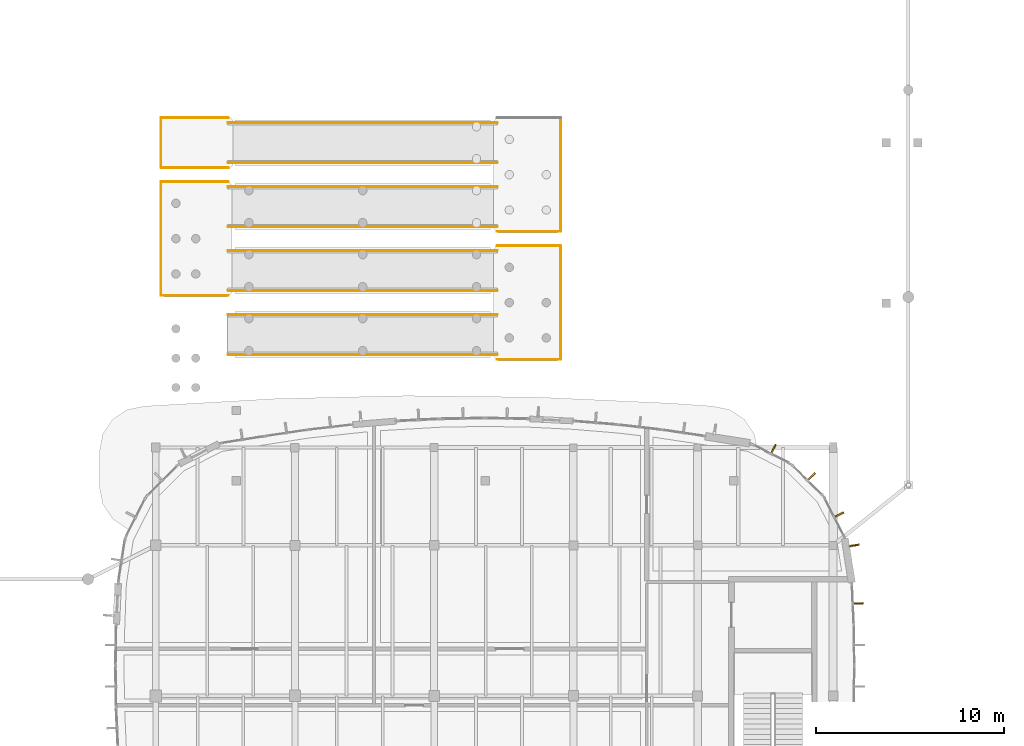
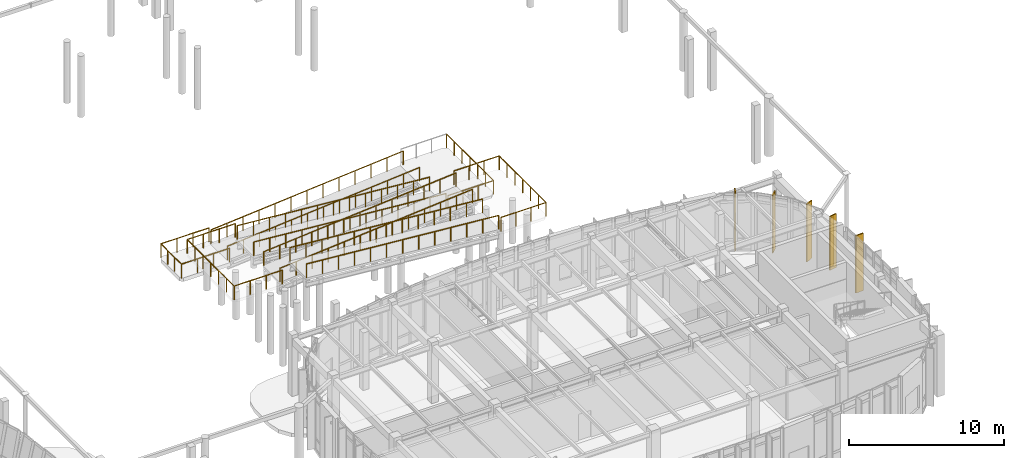
# One storey, part 107 of 120: 19 railings, 5 coverings, 1 shading device.
"""IFC4 building model written with IfcOpenShell, lengths in metres."""

import ifcopenshell
import ifcopenshell.guid

model = None  # the IFC model being written
_history = None  # IfcOwnerHistory: only IFC2X3 demands one
_inside = {}  # id of a spatial element -> (the spatial element, [elements in it])
_under = {}  # id of a project, library or spatial element -> (it, [spatial elements below it])
_declared = {}  # id of a project -> (the project, [libraries it declares])
_typed = {}  # id of a type object -> (the type object, [elements of that type])
_made_of = {}  # id of a material, layer set ... -> (it, [elements and type objects made of it])


def new_model(schema):
    """Start an empty IFC model of exactly this schema.

    Asked for "IFC4X3", IfcOpenShell would pick the latest addendum, in which some entities
    have other attributes; the version numbers below select the first issue.
    IFC2X3 requires an IfcOwnerHistory on every rooted entity: one is made here for all.
    """
    global model, _history
    if schema == "IFC4X3":
        model = ifcopenshell.file(schema_version=(4, 3, 0, 0))
    else:
        model = ifcopenshell.file(schema=schema)
    _inside.clear()
    _under.clear()
    _declared.clear()
    _typed.clear()
    _made_of.clear()
    _history = None
    if model.schema == "IFC2X3":
        org = make("IfcOrganization", Name="unknown")
        user = make(
            "IfcPersonAndOrganization",
            ThePerson=make("IfcPerson", FamilyName="unknown"),
            TheOrganization=org,
        )
        app = make(
            "IfcApplication",
            ApplicationDeveloper=org,
            Version="unknown",
            ApplicationFullName="unknown",
            ApplicationIdentifier="unknown",
        )
        _history = make(
            "IfcOwnerHistory",
            OwningUser=user,
            OwningApplication=app,
            ChangeAction="ADDED",
            CreationDate=0,
        )
    return model


def make(cls, **values):
    """One entity of the class cls with the attributes given. An attribute that is None is left unset."""
    return model.create_entity(
        cls, **{name: value for name, value in values.items() if value is not None}
    )


def rooted(cls, **values):
    """An entity with a GlobalId (a new one), such as an element, a storey or a relation."""
    return make(cls, GlobalId=ifcopenshell.guid.new(), OwnerHistory=_history, **values)


def si_unit(unit_type, name, prefix=None):
    """IfcSIUnit, for example si_unit("LENGTHUNIT", "METRE", prefix="MILLI")."""
    return make("IfcSIUnit", UnitType=unit_type, Prefix=prefix, Name=name)


def assignment(units):
    """IfcUnitAssignment: the units of a project."""
    return None if units is None else make("IfcUnitAssignment", Units=units)


def point(xyz):
    """IfcCartesianPoint."""
    return None if xyz is None else make("IfcCartesianPoint", Coordinates=xyz)


def direction(xyz):
    """IfcDirection."""
    return None if xyz is None else make("IfcDirection", DirectionRatios=xyz)


def frame(location, z_axis=None, x_axis=None):
    """IfcAxis2Placement3D, a coordinate frame: its origin and axes. An axis left out is left unset."""
    return make(
        "IfcAxis2Placement3D",
        Location=point(location),
        Axis=direction(z_axis),
        RefDirection=direction(x_axis),
    )


def frame_2d(location, x_axis=None):
    """IfcAxis2Placement2D, a coordinate frame in the plane: its origin and x axis."""
    return make(
        "IfcAxis2Placement2D", Location=point(location), RefDirection=direction(x_axis)
    )


def origin():
    """The frame at (0, 0, 0) with its axes left unset."""
    return frame((0.0, 0.0, 0.0))


def origin_2d():
    """The frame at (0, 0) in the plane with its x axis left unset."""
    return frame_2d((0.0, 0.0))


def place(relative_to, where):
    """IfcLocalPlacement: puts the frame where relative to a parent placement (None: the world)."""
    return make(
        "IfcLocalPlacement", PlacementRelTo=relative_to, RelativePlacement=where
    )


def context(
    kind, dimensions, precision=None, world=None, true_north=None, identifier=None
):
    """IfcGeometricRepresentationContext, for example the 3D "Model" context."""
    return make(
        "IfcGeometricRepresentationContext",
        ContextIdentifier=identifier,
        ContextType=kind,
        CoordinateSpaceDimension=dimensions,
        Precision=precision,
        WorldCoordinateSystem=world,
        TrueNorth=true_north,
    )


def subcontext(parent, identifier, kind, view, scale=None):
    """IfcGeometricRepresentationSubContext, for example "Body" below "Model"."""
    return make(
        "IfcGeometricRepresentationSubContext",
        ContextIdentifier=identifier,
        ContextType=kind,
        ParentContext=parent,
        TargetScale=scale,
        TargetView=view,
    )


def project(units=None, contexts=None):
    """IfcProject with its units and contexts."""
    return rooted(
        "IfcProject",
        Name="project",
        RepresentationContexts=contexts,
        UnitsInContext=assignment(units),
    )


def spatial(cls, under=None, at=None, **own):
    """A site, building, storey or space (cls), placed at a placement, below another one or the project."""
    s = rooted(cls, ObjectPlacement=at, **own)
    if under is not None:
        _under.setdefault(under.id(), (under, []))[1].append(s)
    return s


def polyline(points):
    """IfcPolyline through the points."""
    return make("IfcPolyline", Points=[point(p) for p in points])


def profile(cls, at=None, kind="AREA", **sizes):
    """A parametric profile (cls). Its sizes go by their IFC names, for example OverallWidth=200.0."""
    return make(cls, ProfileType=kind, Position=at, **sizes)


def rectangle(**sizes):
    """IfcRectangleProfileDef."""
    return profile("IfcRectangleProfileDef", **sizes)


def circle(**sizes):
    """IfcCircleProfileDef."""
    return profile("IfcCircleProfileDef", **sizes)


def outline(outer, holes=None, kind="AREA"):
    """IfcArbitraryClosedProfileDef: a profile drawn as a closed curve; with holes, ...WithVoids."""
    if holes is None:
        return make("IfcArbitraryClosedProfileDef", ProfileType=kind, OuterCurve=outer)
    return make(
        "IfcArbitraryProfileDefWithVoids",
        ProfileType=kind,
        OuterCurve=outer,
        InnerCurves=holes,
    )


def extrude(swept, where, along, depth):
    """IfcExtrudedAreaSolid: the profile swept, set in the frame where, extruded along a direction by depth."""
    return make(
        "IfcExtrudedAreaSolid",
        SweptArea=swept,
        Position=where,
        ExtrudedDirection=direction(along),
        Depth=depth,
    )


def shape(context_of_items, identifier, shape_type, items):
    """IfcShapeRepresentation: the items that make up one representation, for example the "Body"."""
    return make(
        "IfcShapeRepresentation",
        ContextOfItems=context_of_items,
        RepresentationIdentifier=identifier,
        RepresentationType=shape_type,
        Items=items,
    )


def material(Name=None, Category=None):
    """IfcMaterial."""
    return make("IfcMaterial", Name=Name, Category=Category)


def layer(
    of_material, thickness, ventilated=None, Name=None, Category=None, Priority=None
):
    """IfcMaterialLayer: one layer of a wall or slab, of a material (None: an air gap)."""
    return make(
        "IfcMaterialLayer",
        Material=of_material,
        LayerThickness=thickness,
        IsVentilated=ventilated,
        Name=Name,
        Category=Category,
        Priority=Priority,
    )


def layer_set(layers, Name=None):
    """IfcMaterialLayerSet."""
    return make("IfcMaterialLayerSet", MaterialLayers=layers, LayerSetName=Name)


def made_of(thing, what):
    """Note that an element or type object is made of a material, layer set ...; save() writes the relation."""
    if what is not None:
        _made_of.setdefault(what.id(), (what, []))[1].append(thing)
    return thing


def type_object(cls, material=None, **own):
    """A type object (cls), such as IfcWallType, which elements share."""
    return made_of(rooted(cls, **own), material)


def element(
    cls,
    number,
    at=None,
    inside=None,
    cuts=None,
    type_object=None,
    material=None,
    context=None,
    identifier="Body",
    shape_type=None,
    held_by="IfcProductDefinitionShape",
    body=None,
    shapes=None,
    **own,
):
    """One element of the class cls, such as IfcWall. Its Tag is "e" and its number.

    at: its placement. inside: the storey or other place that contains it. cuts: it is an
    opening in that element (IfcRelVoidsElement). A single representation is given by context,
    identifier, shape_type and body (its items); several are given by shapes. held_by: the class
    of the entity that holds the representations. save() writes the other relations.
    """
    e = rooted(cls, Tag="e%d" % number, ObjectPlacement=at, **own)
    if body is not None:
        shapes = [shape(context, identifier, shape_type, body)]
    if shapes is not None:
        e.Representation = make(held_by, Representations=shapes)
    if inside is not None:
        _inside.setdefault(inside.id(), (inside, []))[1].append(e)
    if cuts is not None:
        rooted(
            "IfcRelVoidsElement", RelatingBuildingElement=cuts, RelatedOpeningElement=e
        )
    if type_object is not None:
        _typed.setdefault(type_object.id(), (type_object, []))[1].append(e)
    return made_of(e, material)


def aggregate(whole, parts):
    """IfcRelAggregates: a whole, such as a stair, and the parts it consists of."""
    return rooted("IfcRelAggregates", RelatingObject=whole, RelatedObjects=parts)


def save(model, path):
    """Write the relations noted so far, then the file.

    IfcRelAggregates (storeys below a building ...), IfcRelContainedInSpatialStructure (elements
    in a storey), IfcRelDefinesByType, IfcRelAssociatesMaterial and IfcRelDeclares: one each for
    every whole, place, type object, material and project.
    """
    for whole, parts in _under.values():
        aggregate(whole, parts)
    for where, things in _inside.values():
        rooted(
            "IfcRelContainedInSpatialStructure",
            RelatedElements=things,
            RelatingStructure=where,
        )
    for kind, things in _typed.values():
        rooted("IfcRelDefinesByType", RelatedObjects=things, RelatingType=kind)
    for what, things in _made_of.values():
        rooted("IfcRelAssociatesMaterial", RelatedObjects=things, RelatingMaterial=what)
    for by, libraries in _declared.values():
        rooted("IfcRelDeclares", RelatingContext=by, RelatedDefinitions=libraries)
    model.write(path)


model = new_model("IFC4")

# Units and contexts
model_context = context("Model", 3, precision=1e-05, world=origin(), true_north=direction((0.0, 1.0)))
body_context = subcontext(model_context, "Body", "Model", "MODEL_VIEW")
ifc_project = project(units=[si_unit("LENGTHUNIT", "METRE"), si_unit("AREAUNIT", "SQUARE_METRE"), si_unit("VOLUMEUNIT", "CUBIC_METRE"), si_unit("PLANEANGLEUNIT", "RADIAN"), si_unit("MASSUNIT", "GRAM", prefix="KILO")], contexts=[model_context])

# Site, building, storey
site_placement = place(None, origin())
site = spatial("IfcSite", under=ifc_project, at=site_placement, CompositionType="ELEMENT")
building_placement = place(site_placement, origin())
building = spatial("IfcBuilding", under=site, at=building_placement, Name="Corveleigh Park Community Centre", CompositionType="ELEMENT")
storey_placement = place(building_placement, origin())
storey = spatial("IfcBuildingStorey", under=building, at=storey_placement, Name="L00", CompositionType="ELEMENT", Elevation=0.0)

# Coverings
ifc_material_1 = material(Name="Warm buff ribbed architectural cladding", Category="masonry")
ifc_layer = layer(ifc_material_1, 0.0849609375, Name="Warm buff ribbed architectural cladding", Category="masonry")
ifc_layer_set = layer_set([ifc_layer], Name="Warm buff ribbed architectural cladding")
covering_type = type_object("IfcCoveringType", Name="COV-CLD-BUF", PredefinedType="CLADDING", material=ifc_layer_set)
covering_1_placement = place(storey_placement, origin())
element("IfcCovering", 1, at=covering_1_placement, inside=storey, type_object=covering_type, Name="V3 L00 Brise-soleil blade 64", PredefinedType="CLADDING", context=body_context, shape_type="SweptSolid", body=[
    extrude(outline(polyline([(109.029052734375, 23.738037109375), (109.032958984375, 23.653076171875), (109.612060546875, 23.679931640625), (109.60888671875, 23.764892578125), (109.029052734375, 23.738037109375)])), origin(), (0.0, 0.0, 1.0), 4.511962890625),
])
covering_2_placement = place(storey_placement, origin())
element("IfcCovering", 2, at=covering_2_placement, inside=storey, type_object=covering_type, Name="V3 L00 Brise-soleil blade 65", PredefinedType="CLADDING", context=body_context, shape_type="SweptSolid", body=[
    extrude(outline(polyline([(108.861083984375, 26.797119140625), (108.8740234375, 26.712890625), (109.402099609375, 26.797119140625), (109.388916015625, 26.881103515625), (108.861083984375, 26.797119140625)])), origin(), (0.0, 0.0, 1.0), 4.22509765625),
])
covering_3_placement = place(storey_placement, origin())
element("IfcCovering", 3, at=covering_3_placement, inside=storey, type_object=covering_type, Name="V3 L00 Brise-soleil blade 66", PredefinedType="CLADDING", context=body_context, shape_type="SweptSolid", body=[
    extrude(outline(polyline([(108.027099609375, 28.325927734375), (108.06494140625, 28.2509765625), (108.58203125, 28.513916015625), (108.5439453125, 28.590087890625), (108.027099609375, 28.325927734375)])), origin(), (0.0, 0.0, 1.0), 4.537109375),
])
covering_4_placement = place(storey_placement, origin())
element("IfcCovering", 4, at=covering_4_placement, inside=storey, type_object=covering_type, Name="V3 L00 Brise-soleil blade 67", PredefinedType="CLADDING", context=body_context, shape_type="SweptSolid", body=[
    extrude(outline(polyline([(106.60302734375, 30.262939453125), (106.6630859375, 30.202880859375), (107.073974609375, 30.613037109375), (107.012939453125, 30.674072265625), (106.60302734375, 30.262939453125)])), origin(), (0.0, 0.0, 1.0), 4.537109375),
])
covering_5_placement = place(storey_placement, origin())
element("IfcCovering", 5, at=covering_5_placement, inside=storey, type_object=covering_type, Name="V3 L00 Brise-soleil blade 68", PredefinedType="CLADDING", context=body_context, shape_type="SweptSolid", body=[
    extrude(outline(polyline([(104.65087890625, 31.6650390625), (104.72607421875, 31.626953125), (104.989990234375, 32.14404296875), (104.9140625, 32.181884765625), (104.65087890625, 31.6650390625)])), origin(), (0.0, 0.0, 1.0), 4.537109375),
])

# Railings
ifc_material_2 = material(Name="Stainless steel 316 balustrade", Category="steel")
railing_type = type_object("IfcRailingType", Name="RLG-BAL-EXT-1100", PredefinedType="BALUSTRADE", material=ifc_material_2)
railing_1_placement = place(storey_placement, frame((75.85009765625, 49.260009765625, 0.00390625)))
element("IfcRailing", 6, at=railing_1_placement, inside=storey, type_object=railing_type, Name="Ramp RM7 guard L", PredefinedType="BALUSTRADE", context=body_context, shape_type="SweptSolid", body=[
    extrude(circle(Radius=0.02392578125, at=origin_2d()), frame((0.0, 0.0, 1.076171875), z_axis=(0.996542941565, 0.0, 0.083079273094), x_axis=(0.0, 1.0, 0.0)), (0.0, 0.0, 1.0), 14.349365234375),
    extrude(circle(Radius=0.02099609375, at=origin_2d()), origin(), (0.0, 0.0, 1.0), 1.052001953125),
    extrude(circle(Radius=0.02099609375, at=origin_2d()), frame((1.191650390625, 0.0, 0.099365234375)), (0.0, 0.0, 1.0), 1.052001953125),
    extrude(circle(Radius=0.02099609375, at=origin_2d()), frame((2.38330078125, 0.0, 0.19873046875)), (0.0, 0.0, 1.0), 1.052001953125),
    extrude(circle(Radius=0.02099609375, at=origin_2d()), frame((3.574951171875, 0.0, 0.298095703125)), (0.0, 0.0, 1.0), 1.052001953125),
    extrude(circle(Radius=0.02099609375, at=origin_2d()), frame((4.7666015625, 0.0, 0.3974609375)), (0.0, 0.0, 1.0), 1.052001953125),
    extrude(circle(Radius=0.02099609375, at=origin_2d()), frame((5.958251953125, 0.0, 0.496826171875)), (0.0, 0.0, 1.0), 1.052001953125),
    extrude(circle(Radius=0.02099609375, at=origin_2d()), frame((7.14990234375, 0.0, 0.59619140625)), (0.0, 0.0, 1.0), 1.052001953125),
    extrude(circle(Radius=0.02099609375, at=origin_2d()), frame((8.341552734375, 0.0, 0.6953125)), (0.0, 0.0, 1.0), 1.052001953125),
    extrude(circle(Radius=0.02099609375, at=origin_2d()), frame((9.533203125, 0.0, 0.794677734375)), (0.0, 0.0, 1.0), 1.052001953125),
    extrude(circle(Radius=0.02099609375, at=origin_2d()), frame((10.724853515625, 0.0, 0.89404296875)), (0.0, 0.0, 1.0), 1.052001953125),
    extrude(circle(Radius=0.02099609375, at=origin_2d()), frame((11.91650390625, 0.0, 0.993408203125)), (0.0, 0.0, 1.0), 1.052001953125),
    extrude(circle(Radius=0.02099609375, at=origin_2d()), frame((13.108154296875, 0.0, 1.0927734375)), (0.0, 0.0, 1.0), 1.052001953125),
    extrude(circle(Radius=0.02099609375, at=origin_2d()), frame((14.2998046875, 0.0, 1.192138671875)), (0.0, 0.0, 1.0), 1.052001953125),
])
railing_2_placement = place(storey_placement, frame((75.85009765625, 47.139892578125, 0.00390625)))
element("IfcRailing", 7, at=railing_2_placement, inside=storey, type_object=railing_type, Name="Ramp RM7 guard R", PredefinedType="BALUSTRADE", context=body_context, shape_type="SweptSolid", body=[
    extrude(circle(Radius=0.02392578125, at=origin_2d()), frame((0.0, 0.0, 1.076171875), z_axis=(0.996542941565, 0.0, 0.083079273094), x_axis=(0.0, 1.0, 0.0)), (0.0, 0.0, 1.0), 14.349365234375),
    extrude(circle(Radius=0.02099609375, at=origin_2d()), origin(), (0.0, 0.0, 1.0), 1.052001953125),
    extrude(circle(Radius=0.02099609375, at=origin_2d()), frame((1.191650390625, 0.0, 0.099365234375)), (0.0, 0.0, 1.0), 1.052001953125),
    extrude(circle(Radius=0.02099609375, at=origin_2d()), frame((2.38330078125, 0.0, 0.19873046875)), (0.0, 0.0, 1.0), 1.052001953125),
    extrude(circle(Radius=0.02099609375, at=origin_2d()), frame((3.574951171875, 0.0, 0.298095703125)), (0.0, 0.0, 1.0), 1.052001953125),
    extrude(circle(Radius=0.02099609375, at=origin_2d()), frame((4.7666015625, 0.0, 0.3974609375)), (0.0, 0.0, 1.0), 1.052001953125),
    extrude(circle(Radius=0.02099609375, at=origin_2d()), frame((5.958251953125, 0.0, 0.496826171875)), (0.0, 0.0, 1.0), 1.052001953125),
    extrude(circle(Radius=0.02099609375, at=origin_2d()), frame((7.14990234375, 0.0, 0.59619140625)), (0.0, 0.0, 1.0), 1.052001953125),
    extrude(circle(Radius=0.02099609375, at=origin_2d()), frame((8.341552734375, 0.0, 0.6953125)), (0.0, 0.0, 1.0), 1.052001953125),
    extrude(circle(Radius=0.02099609375, at=origin_2d()), frame((9.533203125, 0.0, 0.794677734375)), (0.0, 0.0, 1.0), 1.052001953125),
    extrude(circle(Radius=0.02099609375, at=origin_2d()), frame((10.724853515625, 0.0, 0.89404296875)), (0.0, 0.0, 1.0), 1.052001953125),
    extrude(circle(Radius=0.02099609375, at=origin_2d()), frame((11.91650390625, 0.0, 0.993408203125)), (0.0, 0.0, 1.0), 1.052001953125),
    extrude(circle(Radius=0.02099609375, at=origin_2d()), frame((13.108154296875, 0.0, 1.0927734375)), (0.0, 0.0, 1.0), 1.052001953125),
    extrude(circle(Radius=0.02099609375, at=origin_2d()), frame((14.2998046875, 0.0, 1.192138671875)), (0.0, 0.0, 1.0), 1.052001953125),
])
railing_3_placement = place(storey_placement, frame((90.14990234375, 43.739990234375, 1.2041015625)))
element("IfcRailing", 8, at=railing_3_placement, inside=storey, type_object=railing_type, Name="Ramp RM8 guard L", PredefinedType="BALUSTRADE", context=body_context, shape_type="SweptSolid", body=[
    extrude(circle(Radius=0.02392578125, at=origin_2d()), frame((0.0, 0.0, 1.076171875), z_axis=(-0.996544350046, 0.0, 0.08306237651), x_axis=(0.0, -1.0, 0.0)), (0.0, 0.0, 1.0), 14.349365234375),
    extrude(circle(Radius=0.02099609375, at=origin_2d()), origin(), (0.0, 0.0, 1.0), 1.052001953125),
    extrude(circle(Radius=0.02099609375, at=origin_2d()), frame((-1.191650390625, 0.0, 0.099365234375)), (0.0, 0.0, 1.0), 1.052001953125),
    extrude(circle(Radius=0.02099609375, at=origin_2d()), frame((-2.38330078125, 0.0, 0.19873046875)), (0.0, 0.0, 1.0), 1.052001953125),
    extrude(circle(Radius=0.02099609375, at=origin_2d()), frame((-3.574951171875, 0.0, 0.2978515625)), (0.0, 0.0, 1.0), 1.052001953125),
    extrude(circle(Radius=0.02099609375, at=origin_2d()), frame((-4.7666015625, 0.0, 0.397216796875)), (0.0, 0.0, 1.0), 1.052001953125),
    extrude(circle(Radius=0.02099609375, at=origin_2d()), frame((-5.958251953125, 0.0, 0.49658203125)), (0.0, 0.0, 1.0), 1.052001953125),
    extrude(circle(Radius=0.02099609375, at=origin_2d()), frame((-7.14990234375, 0.0, 0.595947265625)), (0.0, 0.0, 1.0), 1.052001953125),
    extrude(circle(Radius=0.02099609375, at=origin_2d()), frame((-8.341552734375, 0.0, 0.6953125)), (0.0, 0.0, 1.0), 1.052001953125),
    extrude(circle(Radius=0.02099609375, at=origin_2d()), frame((-9.533203125, 0.0, 0.794677734375)), (0.0, 0.0, 1.0), 1.052001953125),
    extrude(circle(Radius=0.02099609375, at=origin_2d()), frame((-10.724853515625, 0.0, 0.89404296875)), (0.0, 0.0, 1.0), 1.052001953125),
    extrude(circle(Radius=0.02099609375, at=origin_2d()), frame((-11.91650390625, 0.0, 0.9931640625)), (0.0, 0.0, 1.0), 1.052001953125),
    extrude(circle(Radius=0.02099609375, at=origin_2d()), frame((-13.108154296875, 0.0, 1.092529296875)), (0.0, 0.0, 1.0), 1.052001953125),
    extrude(circle(Radius=0.02099609375, at=origin_2d()), frame((-14.2998046875, 0.0, 1.19189453125)), (0.0, 0.0, 1.0), 1.052001953125),
])
railing_4_placement = place(storey_placement, frame((90.14990234375, 45.860107421875, 1.2041015625)))
element("IfcRailing", 9, at=railing_4_placement, inside=storey, type_object=railing_type, Name="Ramp RM8 guard R", PredefinedType="BALUSTRADE", context=body_context, shape_type="SweptSolid", body=[
    extrude(circle(Radius=0.02392578125, at=origin_2d()), frame((0.0, 0.0, 1.076171875), z_axis=(-0.996544350046, 0.0, 0.08306237651), x_axis=(0.0, -1.0, 0.0)), (0.0, 0.0, 1.0), 14.349365234375),
    extrude(circle(Radius=0.02099609375, at=origin_2d()), origin(), (0.0, 0.0, 1.0), 1.052001953125),
    extrude(circle(Radius=0.02099609375, at=origin_2d()), frame((-1.191650390625, 0.0, 0.099365234375)), (0.0, 0.0, 1.0), 1.052001953125),
    extrude(circle(Radius=0.02099609375, at=origin_2d()), frame((-2.38330078125, 0.0, 0.19873046875)), (0.0, 0.0, 1.0), 1.052001953125),
    extrude(circle(Radius=0.02099609375, at=origin_2d()), frame((-3.574951171875, 0.0, 0.2978515625)), (0.0, 0.0, 1.0), 1.052001953125),
    extrude(circle(Radius=0.02099609375, at=origin_2d()), frame((-4.7666015625, 0.0, 0.397216796875)), (0.0, 0.0, 1.0), 1.052001953125),
    extrude(circle(Radius=0.02099609375, at=origin_2d()), frame((-5.958251953125, 0.0, 0.49658203125)), (0.0, 0.0, 1.0), 1.052001953125),
    extrude(circle(Radius=0.02099609375, at=origin_2d()), frame((-7.14990234375, 0.0, 0.595947265625)), (0.0, 0.0, 1.0), 1.052001953125),
    extrude(circle(Radius=0.02099609375, at=origin_2d()), frame((-8.341552734375, 0.0, 0.6953125)), (0.0, 0.0, 1.0), 1.052001953125),
    extrude(circle(Radius=0.02099609375, at=origin_2d()), frame((-9.533203125, 0.0, 0.794677734375)), (0.0, 0.0, 1.0), 1.052001953125),
    extrude(circle(Radius=0.02099609375, at=origin_2d()), frame((-10.724853515625, 0.0, 0.89404296875)), (0.0, 0.0, 1.0), 1.052001953125),
    extrude(circle(Radius=0.02099609375, at=origin_2d()), frame((-11.91650390625, 0.0, 0.9931640625)), (0.0, 0.0, 1.0), 1.052001953125),
    extrude(circle(Radius=0.02099609375, at=origin_2d()), frame((-13.108154296875, 0.0, 1.092529296875)), (0.0, 0.0, 1.0), 1.052001953125),
    extrude(circle(Radius=0.02099609375, at=origin_2d()), frame((-14.2998046875, 0.0, 1.19189453125)), (0.0, 0.0, 1.0), 1.052001953125),
])
railing_5_placement = place(storey_placement, frame((75.85009765625, 42.4599609375, 2.404052734375)))
element("IfcRailing", 10, at=railing_5_placement, inside=storey, type_object=railing_type, Name="Ramp RM9 guard L", PredefinedType="BALUSTRADE", context=body_context, shape_type="SweptSolid", body=[
    extrude(circle(Radius=0.02392578125, at=origin_2d()), frame((0.0, 0.0, 1.076171875), z_axis=(0.996544350046, 0.0, 0.08306237651), x_axis=(0.0, 1.0, 0.0)), (0.0, 0.0, 1.0), 14.349365234375),
    extrude(circle(Radius=0.02099609375, at=origin_2d()), origin(), (0.0, 0.0, 1.0), 1.052001953125),
    extrude(circle(Radius=0.02099609375, at=origin_2d()), frame((1.191650390625, 0.0, 0.099365234375)), (0.0, 0.0, 1.0), 1.052001953125),
    extrude(circle(Radius=0.02099609375, at=origin_2d()), frame((2.38330078125, 0.0, 0.19873046875)), (0.0, 0.0, 1.0), 1.052001953125),
    extrude(circle(Radius=0.02099609375, at=origin_2d()), frame((3.574951171875, 0.0, 0.2978515625)), (0.0, 0.0, 1.0), 1.052001953125),
    extrude(circle(Radius=0.02099609375, at=origin_2d()), frame((4.7666015625, 0.0, 0.397216796875)), (0.0, 0.0, 1.0), 1.052001953125),
    extrude(circle(Radius=0.02099609375, at=origin_2d()), frame((5.958251953125, 0.0, 0.49658203125)), (0.0, 0.0, 1.0), 1.052001953125),
    extrude(circle(Radius=0.02099609375, at=origin_2d()), frame((7.14990234375, 0.0, 0.595947265625)), (0.0, 0.0, 1.0), 1.052001953125),
    extrude(circle(Radius=0.02099609375, at=origin_2d()), frame((8.341552734375, 0.0, 0.6953125)), (0.0, 0.0, 1.0), 1.052001953125),
    extrude(circle(Radius=0.02099609375, at=origin_2d()), frame((9.533203125, 0.0, 0.794677734375)), (0.0, 0.0, 1.0), 1.052001953125),
    extrude(circle(Radius=0.02099609375, at=origin_2d()), frame((10.724853515625, 0.0, 0.89404296875)), (0.0, 0.0, 1.0), 1.052001953125),
    extrude(circle(Radius=0.02099609375, at=origin_2d()), frame((11.91650390625, 0.0, 0.9931640625)), (0.0, 0.0, 1.0), 1.052001953125),
    extrude(circle(Radius=0.02099609375, at=origin_2d()), frame((13.108154296875, 0.0, 1.092529296875)), (0.0, 0.0, 1.0), 1.052001953125),
    extrude(circle(Radius=0.02099609375, at=origin_2d()), frame((14.2998046875, 0.0, 1.19189453125)), (0.0, 0.0, 1.0), 1.052001953125),
])
railing_6_placement = place(storey_placement, frame((75.85009765625, 40.340087890625, 2.404052734375)))
element("IfcRailing", 11, at=railing_6_placement, inside=storey, type_object=railing_type, Name="Ramp RM9 guard R", PredefinedType="BALUSTRADE", context=body_context, shape_type="SweptSolid", body=[
    extrude(circle(Radius=0.02392578125, at=origin_2d()), frame((0.0, 0.0, 1.076171875), z_axis=(0.996544350046, 0.0, 0.08306237651), x_axis=(0.0, 1.0, 0.0)), (0.0, 0.0, 1.0), 14.349365234375),
    extrude(circle(Radius=0.02099609375, at=origin_2d()), origin(), (0.0, 0.0, 1.0), 1.052001953125),
    extrude(circle(Radius=0.02099609375, at=origin_2d()), frame((1.191650390625, 0.0, 0.099365234375)), (0.0, 0.0, 1.0), 1.052001953125),
    extrude(circle(Radius=0.02099609375, at=origin_2d()), frame((2.38330078125, 0.0, 0.19873046875)), (0.0, 0.0, 1.0), 1.052001953125),
    extrude(circle(Radius=0.02099609375, at=origin_2d()), frame((3.574951171875, 0.0, 0.2978515625)), (0.0, 0.0, 1.0), 1.052001953125),
    extrude(circle(Radius=0.02099609375, at=origin_2d()), frame((4.7666015625, 0.0, 0.397216796875)), (0.0, 0.0, 1.0), 1.052001953125),
    extrude(circle(Radius=0.02099609375, at=origin_2d()), frame((5.958251953125, 0.0, 0.49658203125)), (0.0, 0.0, 1.0), 1.052001953125),
    extrude(circle(Radius=0.02099609375, at=origin_2d()), frame((7.14990234375, 0.0, 0.595947265625)), (0.0, 0.0, 1.0), 1.052001953125),
    extrude(circle(Radius=0.02099609375, at=origin_2d()), frame((8.341552734375, 0.0, 0.6953125)), (0.0, 0.0, 1.0), 1.052001953125),
    extrude(circle(Radius=0.02099609375, at=origin_2d()), frame((9.533203125, 0.0, 0.794677734375)), (0.0, 0.0, 1.0), 1.052001953125),
    extrude(circle(Radius=0.02099609375, at=origin_2d()), frame((10.724853515625, 0.0, 0.89404296875)), (0.0, 0.0, 1.0), 1.052001953125),
    extrude(circle(Radius=0.02099609375, at=origin_2d()), frame((11.91650390625, 0.0, 0.9931640625)), (0.0, 0.0, 1.0), 1.052001953125),
    extrude(circle(Radius=0.02099609375, at=origin_2d()), frame((13.108154296875, 0.0, 1.092529296875)), (0.0, 0.0, 1.0), 1.052001953125),
    extrude(circle(Radius=0.02099609375, at=origin_2d()), frame((14.2998046875, 0.0, 1.19189453125)), (0.0, 0.0, 1.0), 1.052001953125),
])
railing_7_placement = place(storey_placement, frame((90.14990234375, 36.93994140625, 3.60400390625)))
element("IfcRailing", 12, at=railing_7_placement, inside=storey, type_object=railing_type, Name="Ramp RM10 guard L", PredefinedType="BALUSTRADE", context=body_context, shape_type="SweptSolid", body=[
    extrude(circle(Radius=0.02392578125, at=origin_2d()), frame((0.0, 0.0, 1.076171875), z_axis=(-0.996544350046, 0.0, 0.08306237651), x_axis=(0.0, -1.0, 0.0)), (0.0, 0.0, 1.0), 14.349365234375),
    extrude(circle(Radius=0.02099609375, at=origin_2d()), origin(), (0.0, 0.0, 1.0), 1.052001953125),
    extrude(circle(Radius=0.02099609375, at=origin_2d()), frame((-1.191650390625, 0.0, 0.099365234375)), (0.0, 0.0, 1.0), 1.052001953125),
    extrude(circle(Radius=0.02099609375, at=origin_2d()), frame((-2.38330078125, 0.0, 0.19873046875)), (0.0, 0.0, 1.0), 1.052001953125),
    extrude(circle(Radius=0.02099609375, at=origin_2d()), frame((-3.574951171875, 0.0, 0.2978515625)), (0.0, 0.0, 1.0), 1.052001953125),
    extrude(circle(Radius=0.02099609375, at=origin_2d()), frame((-4.7666015625, 0.0, 0.397216796875)), (0.0, 0.0, 1.0), 1.052001953125),
    extrude(circle(Radius=0.02099609375, at=origin_2d()), frame((-5.958251953125, 0.0, 0.49658203125)), (0.0, 0.0, 1.0), 1.052001953125),
    extrude(circle(Radius=0.02099609375, at=origin_2d()), frame((-7.14990234375, 0.0, 0.595947265625)), (0.0, 0.0, 1.0), 1.052001953125),
    extrude(circle(Radius=0.02099609375, at=origin_2d()), frame((-8.341552734375, 0.0, 0.6953125)), (0.0, 0.0, 1.0), 1.052001953125),
    extrude(circle(Radius=0.02099609375, at=origin_2d()), frame((-9.533203125, 0.0, 0.794677734375)), (0.0, 0.0, 1.0), 1.052001953125),
    extrude(circle(Radius=0.02099609375, at=origin_2d()), frame((-10.724853515625, 0.0, 0.89404296875)), (0.0, 0.0, 1.0), 1.052001953125),
    extrude(circle(Radius=0.02099609375, at=origin_2d()), frame((-11.91650390625, 0.0, 0.9931640625)), (0.0, 0.0, 1.0), 1.052001953125),
    extrude(circle(Radius=0.02099609375, at=origin_2d()), frame((-13.108154296875, 0.0, 1.092529296875)), (0.0, 0.0, 1.0), 1.052001953125),
    extrude(circle(Radius=0.02099609375, at=origin_2d()), frame((-14.2998046875, 0.0, 1.19189453125)), (0.0, 0.0, 1.0), 1.052001953125),
])
railing_8_placement = place(storey_placement, frame((90.14990234375, 39.06005859375, 3.60400390625)))
element("IfcRailing", 13, at=railing_8_placement, inside=storey, type_object=railing_type, Name="Ramp RM10 guard R", PredefinedType="BALUSTRADE", context=body_context, shape_type="SweptSolid", body=[
    extrude(circle(Radius=0.02392578125, at=origin_2d()), frame((0.0, 0.0, 1.076171875), z_axis=(-0.996544350046, 0.0, 0.08306237651), x_axis=(0.0, -1.0, 0.0)), (0.0, 0.0, 1.0), 14.349365234375),
    extrude(circle(Radius=0.02099609375, at=origin_2d()), origin(), (0.0, 0.0, 1.0), 1.052001953125),
    extrude(circle(Radius=0.02099609375, at=origin_2d()), frame((-1.191650390625, 0.0, 0.099365234375)), (0.0, 0.0, 1.0), 1.052001953125),
    extrude(circle(Radius=0.02099609375, at=origin_2d()), frame((-2.38330078125, 0.0, 0.19873046875)), (0.0, 0.0, 1.0), 1.052001953125),
    extrude(circle(Radius=0.02099609375, at=origin_2d()), frame((-3.574951171875, 0.0, 0.2978515625)), (0.0, 0.0, 1.0), 1.052001953125),
    extrude(circle(Radius=0.02099609375, at=origin_2d()), frame((-4.7666015625, 0.0, 0.397216796875)), (0.0, 0.0, 1.0), 1.052001953125),
    extrude(circle(Radius=0.02099609375, at=origin_2d()), frame((-5.958251953125, 0.0, 0.49658203125)), (0.0, 0.0, 1.0), 1.052001953125),
    extrude(circle(Radius=0.02099609375, at=origin_2d()), frame((-7.14990234375, 0.0, 0.595947265625)), (0.0, 0.0, 1.0), 1.052001953125),
    extrude(circle(Radius=0.02099609375, at=origin_2d()), frame((-8.341552734375, 0.0, 0.6953125)), (0.0, 0.0, 1.0), 1.052001953125),
    extrude(circle(Radius=0.02099609375, at=origin_2d()), frame((-9.533203125, 0.0, 0.794677734375)), (0.0, 0.0, 1.0), 1.052001953125),
    extrude(circle(Radius=0.02099609375, at=origin_2d()), frame((-10.724853515625, 0.0, 0.89404296875)), (0.0, 0.0, 1.0), 1.052001953125),
    extrude(circle(Radius=0.02099609375, at=origin_2d()), frame((-11.91650390625, 0.0, 0.9931640625)), (0.0, 0.0, 1.0), 1.052001953125),
    extrude(circle(Radius=0.02099609375, at=origin_2d()), frame((-13.108154296875, 0.0, 1.092529296875)), (0.0, 0.0, 1.0), 1.052001953125),
    extrude(circle(Radius=0.02099609375, at=origin_2d()), frame((-14.2998046875, 0.0, 1.19189453125)), (0.0, 0.0, 1.0), 1.052001953125),
])
railing_9_placement = place(storey_placement, frame((72.280029296875, 46.8798828125, 0.0)))
element("IfcRailing", 14, at=railing_9_placement, inside=storey, type_object=railing_type, Name="Promenade Landing Guard RLG-PRM0-W", PredefinedType="BALUSTRADE", context=body_context, shape_type="SweptSolid", body=[
    extrude(circle(Radius=0.02392578125, at=origin_2d()), frame((0.0, 0.0, 1.076171875), z_axis=(0.0, 1.0, 0.0), x_axis=(-1.0, 0.0, 0.0)), (0.0, 0.0, 1.0), 2.64013671875),
    extrude(circle(Radius=0.02099609375, at=origin_2d()), origin(), (0.0, 0.0, 1.0), 1.052001953125),
    extrude(circle(Radius=0.02099609375, at=origin_2d()), frame((0.0, 0.880126953125, 0.0)), (0.0, 0.0, 1.0), 1.052001953125),
    extrude(circle(Radius=0.02099609375, at=origin_2d()), frame((0.0, 1.760009765625, 0.0)), (0.0, 0.0, 1.0), 1.052001953125),
    extrude(circle(Radius=0.02099609375, at=origin_2d()), frame((0.0, 2.64013671875, 0.0)), (0.0, 0.0, 1.0), 1.052001953125),
])
for number, where, name in (
    (15, (72.280029296875, 46.8798828125, 0.0), "Promenade Landing Guard RLG-PRM0-S"),
    (16, (72.280029296875, 49.52001953125, 0.0), "Promenade Landing Guard RLG-PRM0-N"),
):
    element("IfcRailing", number, at=place(storey_placement, frame(where)), inside=storey, type_object=railing_type, Name=name, PredefinedType="BALUSTRADE", context=body_context, shape_type="SweptSolid", body=[
        extrude(circle(Radius=0.02392578125, at=origin_2d()), frame((0.0, 0.0, 1.076171875), z_axis=(1.0, 0.0, 0.0), x_axis=(0.0, 1.0, 0.0)), (0.0, 0.0, 1.0), 3.570068359375),
        extrude(circle(Radius=0.02099609375, at=origin_2d()), origin(), (0.0, 0.0, 1.0), 1.052001953125),
        extrude(circle(Radius=0.02099609375, at=origin_2d()), frame((1.18994140625, 0.0, 0.0)), (0.0, 0.0, 1.0), 1.052001953125),
        extrude(circle(Radius=0.02099609375, at=origin_2d()), frame((2.380126953125, 0.0, 0.0)), (0.0, 0.0, 1.0), 1.052001953125),
        extrude(circle(Radius=0.02099609375, at=origin_2d()), frame((3.570068359375, 0.0, 0.0)), (0.0, 0.0, 1.0), 1.052001953125),
    ])
railing_10_placement = place(storey_placement, frame((93.52001953125, 43.47998046875, 1.199951171875)))
element("IfcRailing", 17, at=railing_10_placement, inside=storey, type_object=railing_type, Name="Promenade Landing Guard RLG-PRMLND1-E", PredefinedType="BALUSTRADE", context=body_context, shape_type="SweptSolid", body=[
    extrude(circle(Radius=0.02392578125, at=origin_2d()), frame((0.0, 0.0, 1.076171875), z_axis=(0.0, 1.0, 0.0), x_axis=(-1.0, 0.0, 0.0)), (0.0, 0.0, 1.0), 6.0400390625),
    extrude(circle(Radius=0.02099609375, at=origin_2d()), origin(), (0.0, 0.0, 1.0), 1.052001953125),
    extrude(circle(Radius=0.02099609375, at=origin_2d()), frame((0.0, 1.006591796875, 0.0)), (0.0, 0.0, 1.0), 1.052001953125),
    extrude(circle(Radius=0.02099609375, at=origin_2d()), frame((0.0, 2.013427734375, 0.0)), (0.0, 0.0, 1.0), 1.052001953125),
    extrude(circle(Radius=0.02099609375, at=origin_2d()), frame((0.0, 3.02001953125, 0.0)), (0.0, 0.0, 1.0), 1.052001953125),
    extrude(circle(Radius=0.02099609375, at=origin_2d()), frame((0.0, 4.026611328125, 0.0)), (0.0, 0.0, 1.0), 1.052001953125),
    extrude(circle(Radius=0.02099609375, at=origin_2d()), frame((0.0, 5.033447265625, 0.0)), (0.0, 0.0, 1.0), 1.052001953125),
    extrude(circle(Radius=0.02099609375, at=origin_2d()), frame((0.0, 6.0400390625, 0.0)), (0.0, 0.0, 1.0), 1.052001953125),
])
railing_11_placement = place(storey_placement, frame((90.14990234375, 43.47998046875, 1.199951171875)))
element("IfcRailing", 18, at=railing_11_placement, inside=storey, type_object=railing_type, Name="Promenade Landing Guard RLG-PRMLND1-S", PredefinedType="BALUSTRADE", context=body_context, shape_type="SweptSolid", body=[
    extrude(circle(Radius=0.02392578125, at=origin_2d()), frame((0.0, 0.0, 1.076171875), z_axis=(1.0, 0.0, 0.0), x_axis=(0.0, 1.0, 0.0)), (0.0, 0.0, 1.0), 3.3701171875),
    extrude(circle(Radius=0.02099609375, at=origin_2d()), origin(), (0.0, 0.0, 1.0), 1.052001953125),
    extrude(circle(Radius=0.02099609375, at=origin_2d()), frame((1.123291015625, 0.0, 0.0)), (0.0, 0.0, 1.0), 1.052001953125),
    extrude(circle(Radius=0.02099609375, at=origin_2d()), frame((2.246826171875, 0.0, 0.0)), (0.0, 0.0, 1.0), 1.052001953125),
    extrude(circle(Radius=0.02099609375, at=origin_2d()), frame((3.3701171875, 0.0, 0.0)), (0.0, 0.0, 1.0), 1.052001953125),
])
railing_12_placement = place(storey_placement, frame((72.280029296875, 46.1201171875, 2.39990234375)))
element("IfcRailing", 19, at=railing_12_placement, inside=storey, type_object=railing_type, Name="Promenade Landing Guard RLG-PRMLND2-N", PredefinedType="BALUSTRADE", context=body_context, shape_type="SweptSolid", body=[
    extrude(circle(Radius=0.02392578125, at=origin_2d()), frame((0.0, 0.0, 1.076171875), z_axis=(1.0, 0.0, 0.0), x_axis=(0.0, 1.0, 0.0)), (0.0, 0.0, 1.0), 3.570068359375),
    extrude(circle(Radius=0.02099609375, at=origin_2d()), origin(), (0.0, 0.0, 1.0), 1.052001953125),
    extrude(circle(Radius=0.02099609375, at=origin_2d()), frame((1.18994140625, 0.0, 0.0)), (0.0, 0.0, 1.0), 1.052001953125),
    extrude(circle(Radius=0.02099609375, at=origin_2d()), frame((2.380126953125, 0.0, 0.0)), (0.0, 0.0, 1.0), 1.052001953125),
    extrude(circle(Radius=0.02099609375, at=origin_2d()), frame((3.570068359375, 0.0, 0.0)), (0.0, 0.0, 1.0), 1.052001953125),
])
railing_13_placement = place(storey_placement, frame((72.280029296875, 40.080078125, 2.39990234375)))
element("IfcRailing", 20, at=railing_13_placement, inside=storey, type_object=railing_type, Name="Promenade Landing Guard RLG-PRMLND2-W", PredefinedType="BALUSTRADE", context=body_context, shape_type="SweptSolid", body=[
    extrude(circle(Radius=0.02392578125, at=origin_2d()), frame((0.0, 0.0, 1.076171875), z_axis=(0.0, 1.0, 0.0), x_axis=(-1.0, 0.0, 0.0)), (0.0, 0.0, 1.0), 6.0400390625),
    extrude(circle(Radius=0.02099609375, at=origin_2d()), origin(), (0.0, 0.0, 1.0), 1.052001953125),
    extrude(circle(Radius=0.02099609375, at=origin_2d()), frame((0.0, 1.006591796875, 0.0)), (0.0, 0.0, 1.0), 1.052001953125),
    extrude(circle(Radius=0.02099609375, at=origin_2d()), frame((0.0, 2.013427734375, 0.0)), (0.0, 0.0, 1.0), 1.052001953125),
    extrude(circle(Radius=0.02099609375, at=origin_2d()), frame((0.0, 3.02001953125, 0.0)), (0.0, 0.0, 1.0), 1.052001953125),
    extrude(circle(Radius=0.02099609375, at=origin_2d()), frame((0.0, 4.026611328125, 0.0)), (0.0, 0.0, 1.0), 1.052001953125),
    extrude(circle(Radius=0.02099609375, at=origin_2d()), frame((0.0, 5.033447265625, 0.0)), (0.0, 0.0, 1.0), 1.052001953125),
    extrude(circle(Radius=0.02099609375, at=origin_2d()), frame((0.0, 6.0400390625, 0.0)), (0.0, 0.0, 1.0), 1.052001953125),
])
railing_14_placement = place(storey_placement, frame((72.280029296875, 40.080078125, 2.39990234375)))
element("IfcRailing", 21, at=railing_14_placement, inside=storey, type_object=railing_type, Name="Promenade Landing Guard RLG-PRMLND2-S", PredefinedType="BALUSTRADE", context=body_context, shape_type="SweptSolid", body=[
    extrude(circle(Radius=0.02392578125, at=origin_2d()), frame((0.0, 0.0, 1.076171875), z_axis=(1.0, 0.0, 0.0), x_axis=(0.0, 1.0, 0.0)), (0.0, 0.0, 1.0), 3.570068359375),
    extrude(circle(Radius=0.02099609375, at=origin_2d()), origin(), (0.0, 0.0, 1.0), 1.052001953125),
    extrude(circle(Radius=0.02099609375, at=origin_2d()), frame((1.18994140625, 0.0, 0.0)), (0.0, 0.0, 1.0), 1.052001953125),
    extrude(circle(Radius=0.02099609375, at=origin_2d()), frame((2.380126953125, 0.0, 0.0)), (0.0, 0.0, 1.0), 1.052001953125),
    extrude(circle(Radius=0.02099609375, at=origin_2d()), frame((3.570068359375, 0.0, 0.0)), (0.0, 0.0, 1.0), 1.052001953125),
])
railing_15_placement = place(storey_placement, frame((90.14990234375, 42.719970703125, 3.60009765625)))
element("IfcRailing", 22, at=railing_15_placement, inside=storey, type_object=railing_type, Name="Promenade Landing Guard RLG-PRMLND3-N", PredefinedType="BALUSTRADE", context=body_context, shape_type="SweptSolid", body=[
    extrude(circle(Radius=0.02392578125, at=origin_2d()), frame((0.0, 0.0, 1.076171875), z_axis=(1.0, 0.0, 0.0), x_axis=(0.0, 1.0, 0.0)), (0.0, 0.0, 1.0), 3.3701171875),
    extrude(circle(Radius=0.02099609375, at=origin_2d()), origin(), (0.0, 0.0, 1.0), 1.052001953125),
    extrude(circle(Radius=0.02099609375, at=origin_2d()), frame((1.123291015625, 0.0, 0.0)), (0.0, 0.0, 1.0), 1.052001953125),
    extrude(circle(Radius=0.02099609375, at=origin_2d()), frame((2.246826171875, 0.0, 0.0)), (0.0, 0.0, 1.0), 1.052001953125),
    extrude(circle(Radius=0.02099609375, at=origin_2d()), frame((3.3701171875, 0.0, 0.0)), (0.0, 0.0, 1.0), 1.052001953125),
])
railing_16_placement = place(storey_placement, frame((93.52001953125, 36.679931640625, 3.60009765625)))
element("IfcRailing", 23, at=railing_16_placement, inside=storey, type_object=railing_type, Name="Promenade Landing Guard RLG-PRMLND3-E", PredefinedType="BALUSTRADE", context=body_context, shape_type="SweptSolid", body=[
    extrude(circle(Radius=0.02392578125, at=origin_2d()), frame((0.0, 0.0, 1.076171875), z_axis=(0.0, 1.0, 0.0), x_axis=(-1.0, 0.0, 0.0)), (0.0, 0.0, 1.0), 6.0400390625),
    extrude(circle(Radius=0.02099609375, at=origin_2d()), origin(), (0.0, 0.0, 1.0), 1.052001953125),
    extrude(circle(Radius=0.02099609375, at=origin_2d()), frame((0.0, 1.006591796875, 0.0)), (0.0, 0.0, 1.0), 1.052001953125),
    extrude(circle(Radius=0.02099609375, at=origin_2d()), frame((0.0, 2.013427734375, 0.0)), (0.0, 0.0, 1.0), 1.052001953125),
    extrude(circle(Radius=0.02099609375, at=origin_2d()), frame((0.0, 3.02001953125, 0.0)), (0.0, 0.0, 1.0), 1.052001953125),
    extrude(circle(Radius=0.02099609375, at=origin_2d()), frame((0.0, 4.026611328125, 0.0)), (0.0, 0.0, 1.0), 1.052001953125),
    extrude(circle(Radius=0.02099609375, at=origin_2d()), frame((0.0, 5.033447265625, 0.0)), (0.0, 0.0, 1.0), 1.052001953125),
    extrude(circle(Radius=0.02099609375, at=origin_2d()), frame((0.0, 6.0400390625, 0.0)), (0.0, 0.0, 1.0), 1.052001953125),
])
railing_17_placement = place(storey_placement, frame((90.14990234375, 36.679931640625, 3.60009765625)))
element("IfcRailing", 24, at=railing_17_placement, inside=storey, type_object=railing_type, Name="Promenade Landing Guard RLG-PRMLND3-S", PredefinedType="BALUSTRADE", context=body_context, shape_type="SweptSolid", body=[
    extrude(circle(Radius=0.02392578125, at=origin_2d()), frame((0.0, 0.0, 1.076171875), z_axis=(1.0, 0.0, 0.0), x_axis=(0.0, 1.0, 0.0)), (0.0, 0.0, 1.0), 3.3701171875),
    extrude(circle(Radius=0.02099609375, at=origin_2d()), origin(), (0.0, 0.0, 1.0), 1.052001953125),
    extrude(circle(Radius=0.02099609375, at=origin_2d()), frame((1.123291015625, 0.0, 0.0)), (0.0, 0.0, 1.0), 1.052001953125),
    extrude(circle(Radius=0.02099609375, at=origin_2d()), frame((2.246826171875, 0.0, 0.0)), (0.0, 0.0, 1.0), 1.052001953125),
    extrude(circle(Radius=0.02099609375, at=origin_2d()), frame((3.3701171875, 0.0, 0.0)), (0.0, 0.0, 1.0), 1.052001953125),
])

# Shading device
ifc_material_3 = material(Name="Terracotta-anodised aluminium fin", Category="masonry")
shading_device_type = type_object("IfcShadingDeviceType", Name="SHD-FIN-TER-350", PredefinedType="USERDEFINED", material=ifc_material_3)
shading_device_placement = place(storey_placement, frame((109.054931640625, 26.784912109375, 0.25), z_axis=(0.0, 0.0, 1.0), x_axis=(0.98768803972, 0.156436364679, 0.0)))
element("IfcShadingDevice", 25, at=shading_device_placement, inside=storey, type_object=shading_device_type, Name="Terracotta brise-soleil fin 7", ObjectType="FIN", PredefinedType="USERDEFINED", context=body_context, shape_type="SweptSolid", body=[
    extrude(rectangle(XDim=0.35009765625, YDim=0.06005859375, at=origin_2d()), origin(), (0.0, 0.0, 1.0), 3.824951171875),
])

save(model, "model.ifc")
